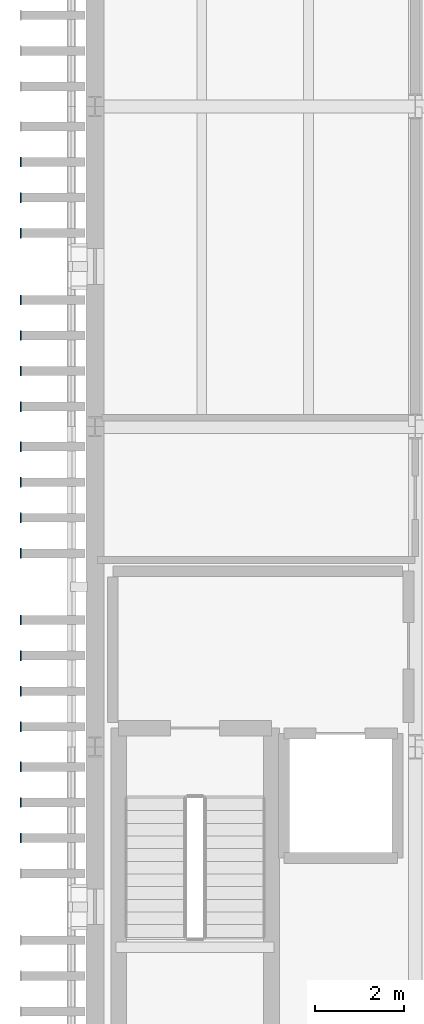
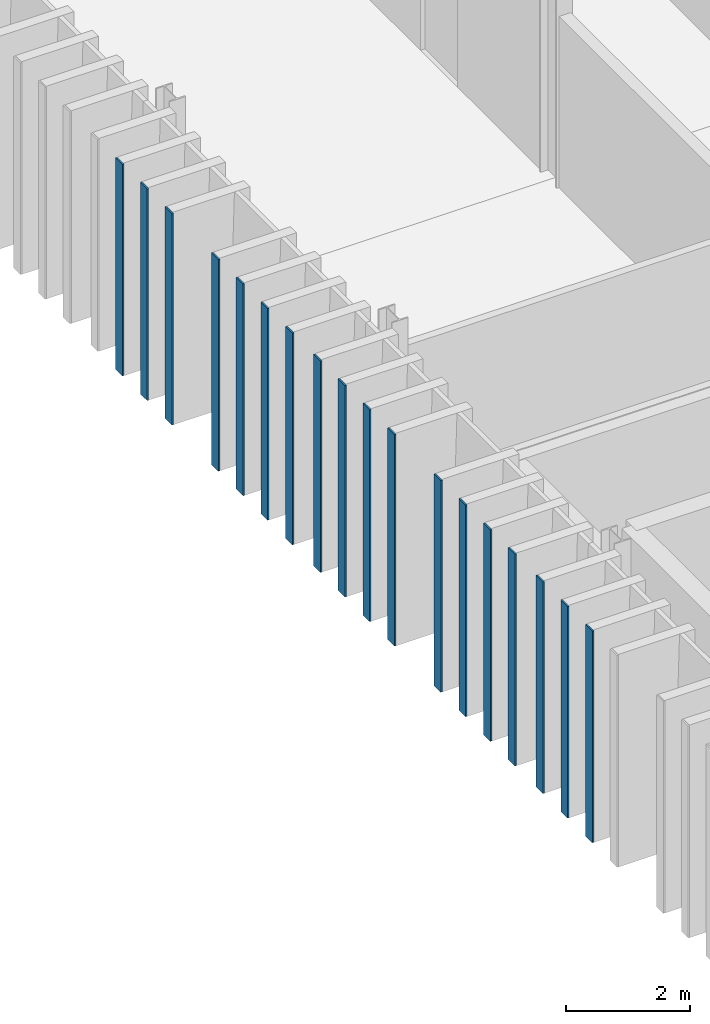
# One storey, part 39 of 91: 18 plates.
"""IFC4 building model written with IfcOpenShell, lengths in metres."""

import ifcopenshell
import ifcopenshell.guid

model = None  # the IFC model being written
_history = None  # IfcOwnerHistory: only IFC2X3 demands one
_inside = {}  # id of a spatial element -> (the spatial element, [elements in it])
_under = {}  # id of a project, library or spatial element -> (it, [spatial elements below it])
_declared = {}  # id of a project -> (the project, [libraries it declares])
_typed = {}  # id of a type object -> (the type object, [elements of that type])
_made_of = {}  # id of a material, layer set ... -> (it, [elements and type objects made of it])


def new_model(schema):
    """Start an empty IFC model of exactly this schema.

    Asked for "IFC4X3", IfcOpenShell would pick the latest addendum, in which some entities
    have other attributes; the version numbers below select the first issue.
    IFC2X3 requires an IfcOwnerHistory on every rooted entity: one is made here for all.
    """
    global model, _history
    if schema == "IFC4X3":
        model = ifcopenshell.file(schema_version=(4, 3, 0, 0))
    else:
        model = ifcopenshell.file(schema=schema)
    _inside.clear()
    _under.clear()
    _declared.clear()
    _typed.clear()
    _made_of.clear()
    _history = None
    if model.schema == "IFC2X3":
        org = make("IfcOrganization", Name="unknown")
        user = make(
            "IfcPersonAndOrganization",
            ThePerson=make("IfcPerson", FamilyName="unknown"),
            TheOrganization=org,
        )
        app = make(
            "IfcApplication",
            ApplicationDeveloper=org,
            Version="unknown",
            ApplicationFullName="unknown",
            ApplicationIdentifier="unknown",
        )
        _history = make(
            "IfcOwnerHistory",
            OwningUser=user,
            OwningApplication=app,
            ChangeAction="ADDED",
            CreationDate=0,
        )
    return model


def make(cls, **values):
    """One entity of the class cls with the attributes given. An attribute that is None is left unset."""
    return model.create_entity(
        cls, **{name: value for name, value in values.items() if value is not None}
    )


def rooted(cls, **values):
    """An entity with a GlobalId (a new one), such as an element, a storey or a relation."""
    return make(cls, GlobalId=ifcopenshell.guid.new(), OwnerHistory=_history, **values)


def si_unit(unit_type, name, prefix=None):
    """IfcSIUnit, for example si_unit("LENGTHUNIT", "METRE", prefix="MILLI")."""
    return make("IfcSIUnit", UnitType=unit_type, Prefix=prefix, Name=name)


def assignment(units):
    """IfcUnitAssignment: the units of a project."""
    return None if units is None else make("IfcUnitAssignment", Units=units)


def point(xyz):
    """IfcCartesianPoint."""
    return None if xyz is None else make("IfcCartesianPoint", Coordinates=xyz)


def direction(xyz):
    """IfcDirection."""
    return None if xyz is None else make("IfcDirection", DirectionRatios=xyz)


def frame(location, z_axis=None, x_axis=None):
    """IfcAxis2Placement3D, a coordinate frame: its origin and axes. An axis left out is left unset."""
    return make(
        "IfcAxis2Placement3D",
        Location=point(location),
        Axis=direction(z_axis),
        RefDirection=direction(x_axis),
    )


def frame_2d(location, x_axis=None):
    """IfcAxis2Placement2D, a coordinate frame in the plane: its origin and x axis."""
    return make(
        "IfcAxis2Placement2D", Location=point(location), RefDirection=direction(x_axis)
    )


def origin():
    """The frame at (0, 0, 0) with its axes left unset."""
    return frame((0.0, 0.0, 0.0))


def origin_2d():
    """The frame at (0, 0) in the plane with its x axis left unset."""
    return frame_2d((0.0, 0.0))


def place(relative_to, where):
    """IfcLocalPlacement: puts the frame where relative to a parent placement (None: the world)."""
    return make(
        "IfcLocalPlacement", PlacementRelTo=relative_to, RelativePlacement=where
    )


def context(
    kind, dimensions, precision=None, world=None, true_north=None, identifier=None
):
    """IfcGeometricRepresentationContext, for example the 3D "Model" context."""
    return make(
        "IfcGeometricRepresentationContext",
        ContextIdentifier=identifier,
        ContextType=kind,
        CoordinateSpaceDimension=dimensions,
        Precision=precision,
        WorldCoordinateSystem=world,
        TrueNorth=true_north,
    )


def subcontext(parent, identifier, kind, view, scale=None):
    """IfcGeometricRepresentationSubContext, for example "Body" below "Model"."""
    return make(
        "IfcGeometricRepresentationSubContext",
        ContextIdentifier=identifier,
        ContextType=kind,
        ParentContext=parent,
        TargetScale=scale,
        TargetView=view,
    )


def project(units=None, contexts=None):
    """IfcProject with its units and contexts."""
    return rooted(
        "IfcProject",
        Name="project",
        RepresentationContexts=contexts,
        UnitsInContext=assignment(units),
    )


def spatial(cls, under=None, at=None, **own):
    """A site, building, storey or space (cls), placed at a placement, below another one or the project."""
    s = rooted(cls, ObjectPlacement=at, **own)
    if under is not None:
        _under.setdefault(under.id(), (under, []))[1].append(s)
    return s


def profile(cls, at=None, kind="AREA", **sizes):
    """A parametric profile (cls). Its sizes go by their IFC names, for example OverallWidth=200.0."""
    return make(cls, ProfileType=kind, Position=at, **sizes)


def rectangle(**sizes):
    """IfcRectangleProfileDef."""
    return profile("IfcRectangleProfileDef", **sizes)


def extrude(swept, where, along, depth):
    """IfcExtrudedAreaSolid: the profile swept, set in the frame where, extruded along a direction by depth."""
    return make(
        "IfcExtrudedAreaSolid",
        SweptArea=swept,
        Position=where,
        ExtrudedDirection=direction(along),
        Depth=depth,
    )


def shape(context_of_items, identifier, shape_type, items):
    """IfcShapeRepresentation: the items that make up one representation, for example the "Body"."""
    return make(
        "IfcShapeRepresentation",
        ContextOfItems=context_of_items,
        RepresentationIdentifier=identifier,
        RepresentationType=shape_type,
        Items=items,
    )


def material(Name=None, Category=None):
    """IfcMaterial."""
    return make("IfcMaterial", Name=Name, Category=Category)


def layer(
    of_material, thickness, ventilated=None, Name=None, Category=None, Priority=None
):
    """IfcMaterialLayer: one layer of a wall or slab, of a material (None: an air gap)."""
    return make(
        "IfcMaterialLayer",
        Material=of_material,
        LayerThickness=thickness,
        IsVentilated=ventilated,
        Name=Name,
        Category=Category,
        Priority=Priority,
    )


def layer_set(layers, Name=None):
    """IfcMaterialLayerSet."""
    return make("IfcMaterialLayerSet", MaterialLayers=layers, LayerSetName=Name)


def made_of(thing, what):
    """Note that an element or type object is made of a material, layer set ...; save() writes the relation."""
    if what is not None:
        _made_of.setdefault(what.id(), (what, []))[1].append(thing)
    return thing


def type_object(cls, material=None, **own):
    """A type object (cls), such as IfcWallType, which elements share."""
    return made_of(rooted(cls, **own), material)


def element(
    cls,
    number,
    at=None,
    inside=None,
    cuts=None,
    type_object=None,
    material=None,
    context=None,
    identifier="Body",
    shape_type=None,
    held_by="IfcProductDefinitionShape",
    body=None,
    shapes=None,
    **own,
):
    """One element of the class cls, such as IfcWall. Its Tag is "e" and its number.

    at: its placement. inside: the storey or other place that contains it. cuts: it is an
    opening in that element (IfcRelVoidsElement). A single representation is given by context,
    identifier, shape_type and body (its items); several are given by shapes. held_by: the class
    of the entity that holds the representations. save() writes the other relations.
    """
    e = rooted(cls, Tag="e%d" % number, ObjectPlacement=at, **own)
    if body is not None:
        shapes = [shape(context, identifier, shape_type, body)]
    if shapes is not None:
        e.Representation = make(held_by, Representations=shapes)
    if inside is not None:
        _inside.setdefault(inside.id(), (inside, []))[1].append(e)
    if cuts is not None:
        rooted(
            "IfcRelVoidsElement", RelatingBuildingElement=cuts, RelatedOpeningElement=e
        )
    if type_object is not None:
        _typed.setdefault(type_object.id(), (type_object, []))[1].append(e)
    return made_of(e, material)


def aggregate(whole, parts):
    """IfcRelAggregates: a whole, such as a stair, and the parts it consists of."""
    return rooted("IfcRelAggregates", RelatingObject=whole, RelatedObjects=parts)


def save(model, path):
    """Write the relations noted so far, then the file.

    IfcRelAggregates (storeys below a building ...), IfcRelContainedInSpatialStructure (elements
    in a storey), IfcRelDefinesByType, IfcRelAssociatesMaterial and IfcRelDeclares: one each for
    every whole, place, type object, material and project.
    """
    for whole, parts in _under.values():
        aggregate(whole, parts)
    for where, things in _inside.values():
        rooted(
            "IfcRelContainedInSpatialStructure",
            RelatedElements=things,
            RelatingStructure=where,
        )
    for kind, things in _typed.values():
        rooted("IfcRelDefinesByType", RelatedObjects=things, RelatingType=kind)
    for what, things in _made_of.values():
        rooted("IfcRelAssociatesMaterial", RelatedObjects=things, RelatingMaterial=what)
    for by, libraries in _declared.values():
        rooted("IfcRelDeclares", RelatingContext=by, RelatedDefinitions=libraries)
    model.write(path)


model = new_model("IFC4")

# Units and contexts
model_context = context("Model", 3, precision=1e-05, world=origin(), true_north=direction((0.0, 1.0)))
body_context = subcontext(model_context, "Body", "Model", "MODEL_VIEW")
ifc_project = project(units=[si_unit("LENGTHUNIT", "METRE"), si_unit("AREAUNIT", "SQUARE_METRE"), si_unit("VOLUMEUNIT", "CUBIC_METRE"), si_unit("PLANEANGLEUNIT", "RADIAN"), si_unit("MASSUNIT", "GRAM", prefix="KILO")], contexts=[model_context])

# Site, building, storey
site_placement = place(None, origin())
site = spatial("IfcSite", under=ifc_project, at=site_placement, CompositionType="ELEMENT")
building_placement = place(site_placement, origin())
building = spatial("IfcBuilding", under=site, at=building_placement, Name="Narikvali Park Central Library", CompositionType="ELEMENT")
storey_placement = place(building_placement, frame((0.0, 0.0, 14.39990234375)))
storey = spatial("IfcBuildingStorey", under=building, at=storey_placement, Name="L03", CompositionType="ELEMENT", Elevation=14.39990234375)

# Plates
ifc_material = material(Name="Anodised Bronze Aluminium", Category="aluminium")
ifc_layer = layer(ifc_material, 0.028076171875, Name="Anodised Bronze Aluminium")
ifc_layer_set = layer_set([ifc_layer], Name="Anodised Bronze Aluminium")
plate_type = type_object("IfcPlateType", Name="Vertical Brick Fin Bronze Bullnose Cap 28", PredefinedType="SHEET", material=ifc_layer_set)
for number, where, z_axis, x_axis, name in (
    (1, (-1.672119140625, 48.35009765625, 0.01025390625), (0.0, 0.0, 1.0), (1.0, 0.0, 0.0), "West Stacks Fin Bullnose Trim 106"),
    (2, (-1.672119140625, 49.14990234375, 0.01025390625), (0.0, 0.0, 1.0), (1.0, 0.0, 0.0), "West Stacks Fin Bullnose Trim 112"),
    (3, (-1.672119140625, 49.949951171875, 0.01025390625), (0.0, 0.0, 1.0), (1.0, 0.0, 0.0), "West Stacks Fin Bullnose Trim 118"),
    (4, (-1.672119140625, 50.85009765625, 0.01025390625), (0.0, 0.0, 1.0), (1.0, 0.0, 0.0), "West Stacks Fin Bullnose Trim 124"),
    (5, (-1.672119140625, 51.64990234375, 0.01025390625), (0.0, 0.0, 1.0), (1.0, 0.0, 0.0), "West Stacks Fin Bullnose Trim 130"),
    (6, (-1.672119140625, 52.449951171875, 0.01025390625), (0.0, 0.0, 1.0), (1.0, 0.0, 0.0), "West Stacks Fin Bullnose Trim 136"),
    (7, (-1.672119140625, 53.25, 0.01025390625), (0.0, 0.0, 1.0), (1.0, 0.0, 0.0), "West Stacks Fin Bullnose Trim 142"),
    (8, (-1.672119140625, 54.75, 0.01025390625), (0.0, 0.0, 1.0), (1.0, 0.0, 0.0), "West Stacks Fin Bullnose Trim 148"),
    (9, (-1.672119140625, 55.550048828125, 0.01025390625), (0.0, 0.0, 1.0), (1.0, 0.0, 0.0), "West Stacks Fin Bullnose Trim 154"),
    (10, (-1.672119140625, 56.35009765625, 0.01025390625), (0.0, 0.0, 1.0), (1.0, 0.0, 0.0), "West Stacks Fin Bullnose Trim 160"),
    (11, (-1.672119140625, 57.14990234375, 0.01025390625), (0.0, 0.0, 1.0), (1.0, 0.0, 0.0), "West Stacks Fin Bullnose Trim 166"),
    (12, (-1.672119140625, 58.050048828125, 0.01025390625), (0.0, 0.0, 1.0), (1.0, 0.0, 0.0), "West Stacks Fin Bullnose Trim 172"),
    (13, (-1.672119140625, 58.85009765625, 0.01025390625), (0.0, 0.0, 1.0), (1.0, 0.0, 0.0), "West Stacks Fin Bullnose Trim 178"),
    (14, (-1.672119140625, 59.64990234375, 0.01025390625), (0.0, 0.0, 1.0), (1.0, 0.0, 0.0), "West Stacks Fin Bullnose Trim 184"),
    (15, (-1.672119140625, 60.449951171875, 0.01025390625), (0.0, 0.0, 1.0), (1.0, 0.0, 0.0), "West Stacks Fin Bullnose Trim 190"),
    (16, (-1.672119140625, 61.949951171875, 0.01025390625), (0.0, 0.0, 1.0), (1.0, 0.0, 0.0), "West Stacks Fin Bullnose Trim 196"),
    (17, (-1.672119140625, 62.75, 0.01025390625), (0.0, 0.0, 1.0), (1.0, 0.0, 0.0), "West Stacks Fin Bullnose Trim 202"),
    (18, (-1.672119140625, 63.550048828125, 0.01025390625), (0.0, 0.0, 1.0), (1.0, 0.0, 0.0), "West Stacks Fin Bullnose Trim 208"),
):
    element("IfcPlate", number, at=place(storey_placement, frame(where, z_axis=z_axis, x_axis=x_axis)), inside=storey, type_object=plate_type, Name=name, PredefinedType="SHEET", context=body_context, shape_type="SweptSolid", body=[
        extrude(rectangle(XDim=0.028076171875, YDim=0.219970703125, at=origin_2d()), origin(), (0.0, 0.0, 1.0), 4.179931640625),
    ])

save(model, "model.ifc")
